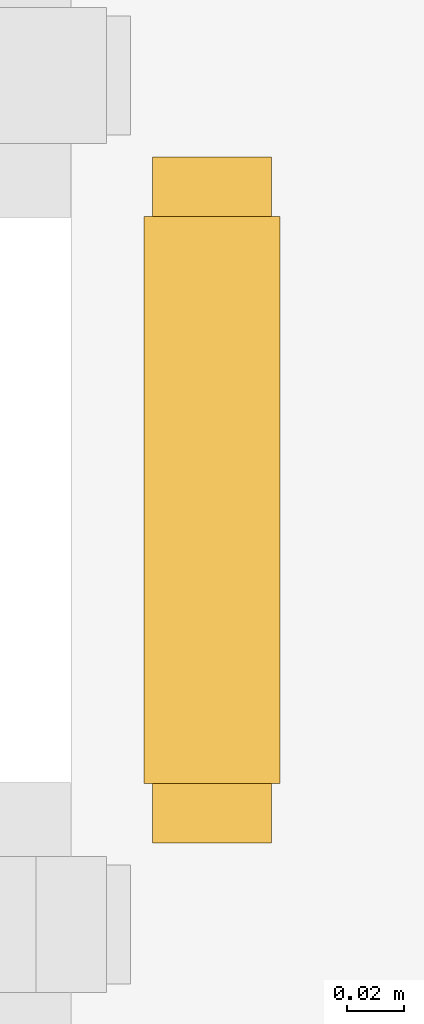
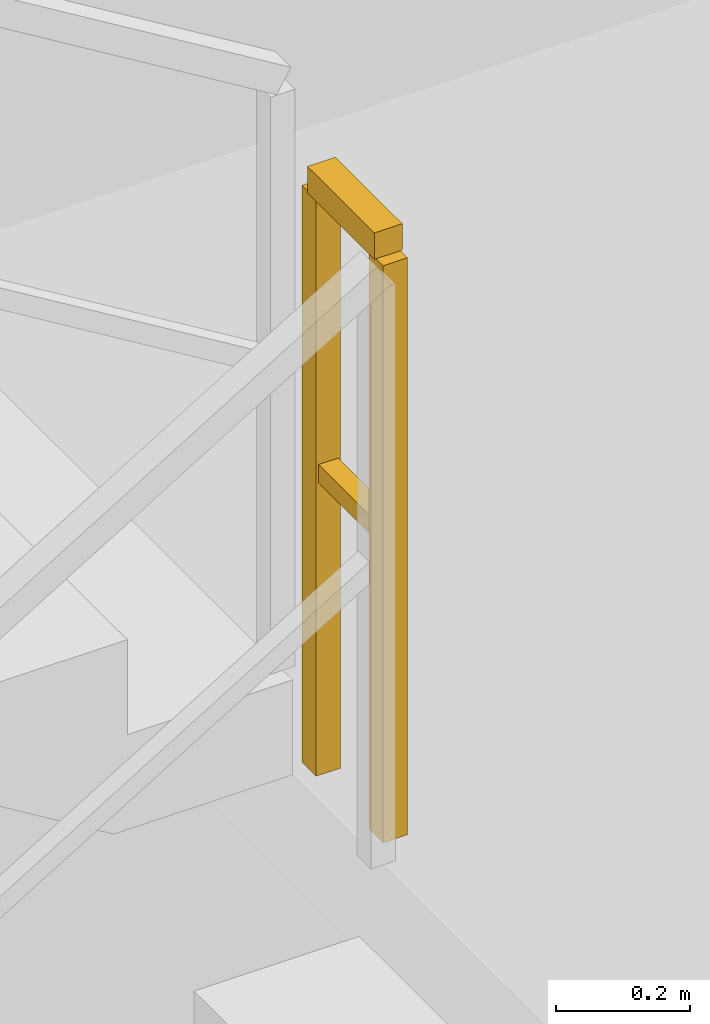
# One storey, part 102 of 110: 1 railing.
"""IFC4 building model written with IfcOpenShell, lengths in metres."""

from ifc_helpers import new_model, si_unit, direction, frame, origin, origin_2d, place, context, subcontext, project, spatial, rectangle, extrude, material, type_object, element, save


model = new_model("IFC4")

# Units and contexts
model_context = context("Model", 3, precision=1e-05, world=origin(), true_north=direction((0.0, 1.0)))
body_context = subcontext(model_context, "Body", "Model", "MODEL_VIEW")
ifc_project = project(units=[si_unit("LENGTHUNIT", "METRE"), si_unit("AREAUNIT", "SQUARE_METRE"), si_unit("VOLUMEUNIT", "CUBIC_METRE"), si_unit("PLANEANGLEUNIT", "RADIAN"), si_unit("MASSUNIT", "GRAM", prefix="KILO")], contexts=[model_context])

# Site, building, storey
site_placement = place(None, origin())
site = spatial("IfcSite", under=ifc_project, at=site_placement, CompositionType="ELEMENT")
building_placement = place(site_placement, origin())
building = spatial("IfcBuilding", under=site, at=building_placement, Name="Suanplinth Sawtooth Commons", CompositionType="ELEMENT")
storey_placement = place(building_placement, frame((0.0, 0.0, 4.5)))
storey = spatial("IfcBuildingStorey", under=building, at=storey_placement, Name="L01", CompositionType="ELEMENT", Elevation=4.5)

# Railing
ifc_material = material(Name="Stainless steel Grade 304", Category="steel")
railing_type = type_object("IfcRailingType", Name="GR-04", PredefinedType="GUARDRAIL", material=ifc_material)
railing_placement = place(storey_placement, frame((62.919921875, 109.89990234375, 2.25)))
element("IfcRailing", 1, at=railing_placement, inside=storey, type_object=railing_type, Name="L01 ST-N2 Guard 2", PredefinedType="GUARDRAIL", context=body_context, shape_type="SweptSolid", body=[
    extrude(rectangle(XDim=0.048095703125, YDim=0.048095703125, at=origin_2d()), frame((0.0, 0.0, 1.076171875), z_axis=(0.0, 1.0, 0.0), x_axis=(-1.0, 0.0, 0.0)), (0.0, 0.0, 1.0), 0.2001953125),
    extrude(rectangle(XDim=0.03369140625, YDim=0.03369140625, at=origin_2d()), frame((0.0, 0.0, 0.550048828125), z_axis=(0.0, 1.0, 0.0), x_axis=(-1.0, 0.0, 0.0)), (0.0, 0.0, 1.0), 0.2001953125),
    extrude(rectangle(XDim=0.0419921875, YDim=0.0419921875, at=origin_2d()), origin(), (0.0, 0.0, 1.0), 1.052001953125),
    extrude(rectangle(XDim=0.0419921875, YDim=0.0419921875, at=origin_2d()), frame((0.0, 0.2001953125, 0.0)), (0.0, 0.0, 1.0), 1.052001953125),
])

save(model, "model.ifc")
